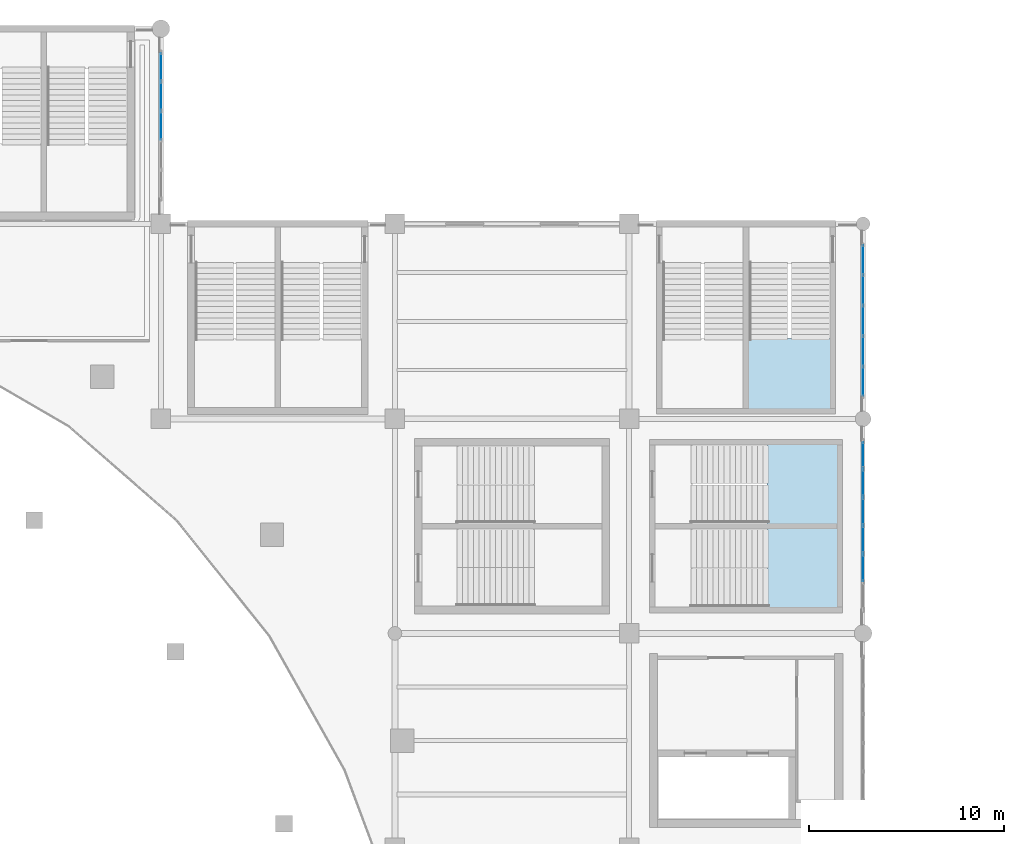
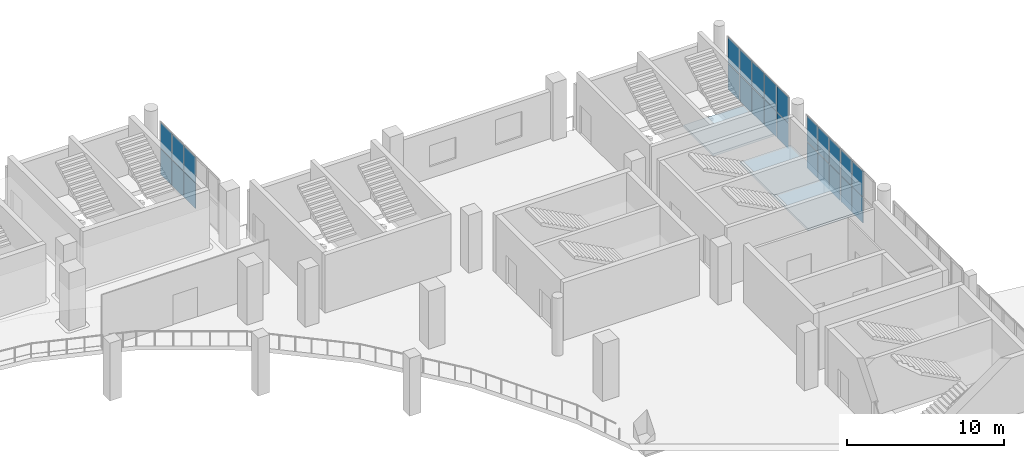
# One storey, part 76 of 108: 26 plates, 3 slabs, 6 elements without a shape of their own.
"""IFC4 building model written with IfcOpenShell, lengths in metres."""

from ifc_helpers import new_model, si_unit, direction, frame, origin, origin_2d, place, context, subcontext, project, spatial, polyline, rectangle, outline, extrude, material, layer, layer_set, type_object, element, aggregate, save


model = new_model("IFC4")

# Units and contexts
model_context = context("Model", 3, precision=1e-05, world=origin(), true_north=direction((0.0, 1.0)))
body_context = subcontext(model_context, "Body", "Model", "MODEL_VIEW")
ifc_project = project(units=[si_unit("LENGTHUNIT", "METRE"), si_unit("AREAUNIT", "SQUARE_METRE"), si_unit("VOLUMEUNIT", "CUBIC_METRE"), si_unit("PLANEANGLEUNIT", "RADIAN"), si_unit("MASSUNIT", "GRAM", prefix="KILO")], contexts=[model_context])

# Site, building, storey
site_placement = place(None, origin())
site = spatial("IfcSite", under=ifc_project, at=site_placement, CompositionType="ELEMENT")
building_placement = place(site_placement, origin())
building = spatial("IfcBuilding", under=site, at=building_placement, Name="Brinegate Civic Arena", CompositionType="ELEMENT")
storey_placement = place(building_placement, frame((0.0, 0.0, 10.199951171875)))
storey = spatial("IfcBuildingStorey", under=building, at=storey_placement, Name="L02", CompositionType="ELEMENT", Elevation=10.199951171875)

# Curtain wall, plates
ifc_material_1 = material(Name="Marine grade aluminium", Category="aluminium")
ifc_layer_1 = layer(ifc_material_1, 0.199951171875, Name="Marine grade aluminium")
ifc_layer_set_1 = layer_set([ifc_layer_1], Name="Marine grade aluminium")
curtain_wall_type_1 = type_object("IfcCurtainWallType", Name="CW-BOWL-GLAZED-01", PredefinedType="USERDEFINED", material=ifc_layer_set_1)
curtain_wall_1_placement = place(storey_placement, origin())
curtain_wall_1 = element("IfcCurtainWall", 1, at=curtain_wall_1_placement, inside=storey, type_object=curtain_wall_type_1, Name="Curtain Wall CWA-092", ObjectType="GLAZED CURTAIN WALL", PredefinedType="USERDEFINED")
ifc_material_2 = material(Name="Hurricane laminated low-E glass", Category="glass")
ifc_layer_2 = layer(ifc_material_2, 0.028076171875, Name="Hurricane laminated low-E glass")
ifc_layer_set_2 = layer_set([ifc_layer_2], Name="Hurricane laminated low-E glass")
plate_type_1 = type_object("IfcPlateType", Name="CW-PANEL-GLAZED-28", PredefinedType="CURTAIN_PANEL", material=ifc_layer_set_2)
plate_1_placement = place(storey_placement, frame((168.0, 105.916259765625, 0.06494140625), z_axis=(0.0, 0.0, 1.0), x_axis=(0.0, 1.0, 0.0)))
plate_1 = element("IfcPlate", 2, at=plate_1_placement, type_object=plate_type_1, Name="CWA-092 panel 1.1", PredefinedType="CURTAIN_PANEL", context=body_context, shape_type="SweptSolid", body=[
    extrude(rectangle(XDim=1.47021484375, YDim=0.028076171875, at=origin_2d()), origin(), (0.0, 0.0, 1.0), 1.9775390625),
])
plate_2_placement = place(storey_placement, frame((168.0, 105.916259765625, 2.107421875), z_axis=(0.0, 0.0, 1.0), x_axis=(0.0, 1.0, 0.0)))
plate_2 = element("IfcPlate", 3, at=plate_2_placement, type_object=plate_type_1, Name="CWA-092 panel 1.2", PredefinedType="CURTAIN_PANEL", context=body_context, shape_type="SweptSolid", body=[
    extrude(rectangle(XDim=1.47021484375, YDim=0.028076171875, at=origin_2d()), origin(), (0.0, 0.0, 1.0), 1.9775390625),
])
plate_3_placement = place(storey_placement, frame((168.0, 107.4677734375, 0.06494140625), z_axis=(0.0, 0.0, 1.0), x_axis=(0.0, 1.0, 0.0)))
plate_3 = element("IfcPlate", 4, at=plate_3_placement, type_object=plate_type_1, Name="CWA-092 panel 2.1", PredefinedType="CURTAIN_PANEL", context=body_context, shape_type="SweptSolid", body=[
    extrude(rectangle(XDim=1.502685546875, YDim=0.028076171875, at=origin_2d()), origin(), (0.0, 0.0, 1.0), 1.9775390625),
])
plate_4_placement = place(storey_placement, frame((168.0, 107.4677734375, 2.107421875), z_axis=(0.0, 0.0, 1.0), x_axis=(0.0, 1.0, 0.0)))
plate_4 = element("IfcPlate", 5, at=plate_4_placement, type_object=plate_type_1, Name="CWA-092 panel 2.2", PredefinedType="CURTAIN_PANEL", context=body_context, shape_type="SweptSolid", body=[
    extrude(rectangle(XDim=1.502685546875, YDim=0.028076171875, at=origin_2d()), origin(), (0.0, 0.0, 1.0), 1.9775390625),
])
plate_5_placement = place(storey_placement, frame((168.0, 109.035400390625, 0.06494140625), z_axis=(0.0, 0.0, 1.0), x_axis=(0.0, 1.0, 0.0)))
plate_5 = element("IfcPlate", 6, at=plate_5_placement, type_object=plate_type_1, Name="CWA-092 panel 3.1", PredefinedType="CURTAIN_PANEL", context=body_context, shape_type="SweptSolid", body=[
    extrude(rectangle(XDim=1.502685546875, YDim=0.028076171875, at=origin_2d()), origin(), (0.0, 0.0, 1.0), 1.9775390625),
])
plate_6_placement = place(storey_placement, frame((168.0, 109.035400390625, 2.107421875), z_axis=(0.0, 0.0, 1.0), x_axis=(0.0, 1.0, 0.0)))
plate_6 = element("IfcPlate", 7, at=plate_6_placement, type_object=plate_type_1, Name="CWA-092 panel 3.2", PredefinedType="CURTAIN_PANEL", context=body_context, shape_type="SweptSolid", body=[
    extrude(rectangle(XDim=1.502685546875, YDim=0.028076171875, at=origin_2d()), origin(), (0.0, 0.0, 1.0), 1.9775390625),
])
plate_7_placement = place(storey_placement, frame((168.0, 110.603271484375, 0.06494140625), z_axis=(0.0, 0.0, 1.0), x_axis=(0.0, 1.0, 0.0)))
plate_7 = element("IfcPlate", 8, at=plate_7_placement, type_object=plate_type_1, Name="CWA-092 panel 4.1", PredefinedType="CURTAIN_PANEL", context=body_context, shape_type="SweptSolid", body=[
    extrude(rectangle(XDim=1.502685546875, YDim=0.028076171875, at=origin_2d()), origin(), (0.0, 0.0, 1.0), 1.9775390625),
])
plate_8_placement = place(storey_placement, frame((168.0, 110.603271484375, 2.107421875), z_axis=(0.0, 0.0, 1.0), x_axis=(0.0, 1.0, 0.0)))
plate_8 = element("IfcPlate", 9, at=plate_8_placement, type_object=plate_type_1, Name="CWA-092 panel 4.2", PredefinedType="CURTAIN_PANEL", context=body_context, shape_type="SweptSolid", body=[
    extrude(rectangle(XDim=1.502685546875, YDim=0.028076171875, at=origin_2d()), origin(), (0.0, 0.0, 1.0), 1.9775390625),
])
plate_9_placement = place(storey_placement, frame((168.0, 112.15478515625, 0.06494140625), z_axis=(0.0, 0.0, 1.0), x_axis=(0.0, 1.0, 0.0)))
plate_9 = element("IfcPlate", 10, at=plate_9_placement, type_object=plate_type_1, Name="CWA-092 panel 5.1", PredefinedType="CURTAIN_PANEL", context=body_context, shape_type="SweptSolid", body=[
    extrude(rectangle(XDim=1.47021484375, YDim=0.028076171875, at=origin_2d()), origin(), (0.0, 0.0, 1.0), 1.9775390625),
])
plate_10_placement = place(storey_placement, frame((168.0, 112.15478515625, 2.107421875), z_axis=(0.0, 0.0, 1.0), x_axis=(0.0, 1.0, 0.0)))
plate_10 = element("IfcPlate", 11, at=plate_10_placement, type_object=plate_type_1, Name="CWA-092 panel 5.2", PredefinedType="CURTAIN_PANEL", context=body_context, shape_type="SweptSolid", body=[
    extrude(rectangle(XDim=1.47021484375, YDim=0.028076171875, at=origin_2d()), origin(), (0.0, 0.0, 1.0), 1.9775390625),
])
aggregate(curtain_wall_1, [plate_1, plate_2, plate_3, plate_4, plate_5, plate_6, plate_7, plate_8, plate_9, plate_10])

ifc_layer_3 = layer(ifc_material_1, 0.235107421875, Name="Marine grade aluminium")
ifc_layer_set_3 = layer_set([ifc_layer_3], Name="Marine grade aluminium")
curtain_wall_type_2 = type_object("IfcCurtainWallType", Name="CW-PORTAL-NORTH-01", PredefinedType="USERDEFINED", material=ifc_layer_set_3)
curtain_wall_2_placement = place(storey_placement, origin())
curtain_wall_2 = element("IfcCurtainWall", 12, at=curtain_wall_2_placement, inside=storey, type_object=curtain_wall_type_2, Name="Curtain Wall CWA-101", ObjectType="PORTAL CURTAIN WALL", PredefinedType="USERDEFINED")
ifc_layer_4 = layer(ifc_material_2, 0.031982421875, Name="Hurricane laminated low-E glass")
ifc_layer_set_4 = layer_set([ifc_layer_4], Name="Hurricane laminated low-E glass")
plate_type_2 = type_object("IfcPlateType", Name="CW-PANEL-GLAZED-32", PredefinedType="CURTAIN_PANEL", material=ifc_layer_set_4)
plate_11_placement = place(storey_placement, frame((132.0, 119.035400390625, 0.06494140625), z_axis=(0.0, 0.0, 1.0), x_axis=(0.0, 1.0, 0.0)))
plate_11 = element("IfcPlate", 13, at=plate_11_placement, type_object=plate_type_2, Name="CWA-101 panel 3.1", PredefinedType="CURTAIN_PANEL", context=body_context, shape_type="SweptSolid", body=[
    extrude(rectangle(XDim=1.4462890625, YDim=0.031982421875, at=origin_2d()), origin(), (0.0, 0.0, 1.0), 1.9775390625),
])
plate_12_placement = place(storey_placement, frame((132.0, 119.035400390625, 2.107421875), z_axis=(0.0, 0.0, 1.0), x_axis=(0.0, 1.0, 0.0)))
plate_12 = element("IfcPlate", 14, at=plate_12_placement, type_object=plate_type_2, Name="CWA-101 panel 3.2", PredefinedType="CURTAIN_PANEL", context=body_context, shape_type="SweptSolid", body=[
    extrude(rectangle(XDim=1.4462890625, YDim=0.031982421875, at=origin_2d()), origin(), (0.0, 0.0, 1.0), 1.9775390625),
])
plate_13_placement = place(storey_placement, frame((132.0, 120.546875, 0.06494140625), z_axis=(0.0, 0.0, 1.0), x_axis=(0.0, 1.0, 0.0)))
plate_13 = element("IfcPlate", 15, at=plate_13_placement, type_object=plate_type_2, Name="CWA-101 panel 4.1", PredefinedType="CURTAIN_PANEL", context=body_context, shape_type="SweptSolid", body=[
    extrude(rectangle(XDim=1.4462890625, YDim=0.031982421875, at=origin_2d()), origin(), (0.0, 0.0, 1.0), 1.9775390625),
])
plate_14_placement = place(storey_placement, frame((132.0, 120.546875, 2.107421875), z_axis=(0.0, 0.0, 1.0), x_axis=(0.0, 1.0, 0.0)))
plate_14 = element("IfcPlate", 16, at=plate_14_placement, type_object=plate_type_2, Name="CWA-101 panel 4.2", PredefinedType="CURTAIN_PANEL", context=body_context, shape_type="SweptSolid", body=[
    extrude(rectangle(XDim=1.4462890625, YDim=0.031982421875, at=origin_2d()), origin(), (0.0, 0.0, 1.0), 1.9775390625),
])
plate_15_placement = place(storey_placement, frame((132.0, 122.0419921875, 0.06494140625), z_axis=(0.0, 0.0, 1.0), x_axis=(0.0, 1.0, 0.0)))
plate_15 = element("IfcPlate", 17, at=plate_15_placement, type_object=plate_type_2, Name="CWA-101 panel 5.1", PredefinedType="CURTAIN_PANEL", context=body_context, shape_type="SweptSolid", body=[
    extrude(rectangle(XDim=1.413818359375, YDim=0.031982421875, at=origin_2d()), origin(), (0.0, 0.0, 1.0), 1.9775390625),
])
plate_16_placement = place(storey_placement, frame((132.0, 122.0419921875, 2.107421875), z_axis=(0.0, 0.0, 1.0), x_axis=(0.0, 1.0, 0.0)))
plate_16 = element("IfcPlate", 18, at=plate_16_placement, type_object=plate_type_2, Name="CWA-101 panel 5.2", PredefinedType="CURTAIN_PANEL", context=body_context, shape_type="SweptSolid", body=[
    extrude(rectangle(XDim=1.413818359375, YDim=0.031982421875, at=origin_2d()), origin(), (0.0, 0.0, 1.0), 1.9775390625),
])
aggregate(curtain_wall_2, [plate_11, plate_12, plate_13, plate_14, plate_15, plate_16])

curtain_wall_3_placement = place(storey_placement, origin())
curtain_wall_3 = element("IfcCurtainWall", 19, at=curtain_wall_3_placement, inside=storey, type_object=curtain_wall_type_1, Name="Curtain Wall CWA-090", ObjectType="GLAZED CURTAIN WALL", PredefinedType="USERDEFINED")
ifc_layer_5 = layer(ifc_material_2, 0.035888671875, Name="Hurricane laminated low-E glass")
ifc_layer_set_5 = layer_set([ifc_layer_5], Name="Hurricane laminated low-E glass")
plate_type_3 = type_object("IfcPlateType", Name="CW-PANEL-GLAZED-36", PredefinedType="CURTAIN_PANEL", material=ifc_layer_set_5)
plate_17_placement = place(storey_placement, frame((168.0, 96.360595703125, 0.06494140625), z_axis=(0.0, 0.0, 1.0), x_axis=(0.0, 1.0, 0.0)))
plate_17 = element("IfcPlate", 20, at=plate_17_placement, type_object=plate_type_3, Name="CWA-090 panel 2.1", PredefinedType="CURTAIN_PANEL", context=body_context, shape_type="SweptSolid", body=[
    extrude(rectangle(XDim=1.374755859375, YDim=0.035888671875, at=origin_2d()), origin(), (0.0, 0.0, 1.0), 1.9775390625),
])
plate_18_placement = place(storey_placement, frame((168.0, 96.360595703125, 2.107421875), z_axis=(0.0, 0.0, 1.0), x_axis=(0.0, 1.0, 0.0)))
plate_18 = element("IfcPlate", 21, at=plate_18_placement, type_object=plate_type_3, Name="CWA-090 panel 2.2", PredefinedType="CURTAIN_PANEL", context=body_context, shape_type="SweptSolid", body=[
    extrude(rectangle(XDim=1.374755859375, YDim=0.035888671875, at=origin_2d()), origin(), (0.0, 0.0, 1.0), 1.9775390625),
])
plate_19_placement = place(storey_placement, frame((168.0, 97.81005859375, 0.06494140625), z_axis=(0.0, 0.0, 1.0), x_axis=(0.0, 1.0, 0.0)))
plate_19 = element("IfcPlate", 22, at=plate_19_placement, type_object=plate_type_3, Name="CWA-090 panel 3.1", PredefinedType="CURTAIN_PANEL", context=body_context, shape_type="SweptSolid", body=[
    extrude(rectangle(XDim=1.374755859375, YDim=0.035888671875, at=origin_2d()), origin(), (0.0, 0.0, 1.0), 1.9775390625),
])
plate_20_placement = place(storey_placement, frame((168.0, 97.81005859375, 2.107421875), z_axis=(0.0, 0.0, 1.0), x_axis=(0.0, 1.0, 0.0)))
plate_20 = element("IfcPlate", 23, at=plate_20_placement, type_object=plate_type_3, Name="CWA-090 panel 3.2", PredefinedType="CURTAIN_PANEL", context=body_context, shape_type="SweptSolid", body=[
    extrude(rectangle(XDim=1.374755859375, YDim=0.035888671875, at=origin_2d()), origin(), (0.0, 0.0, 1.0), 1.9775390625),
])
plate_21_placement = place(storey_placement, frame((168.0, 99.259765625, 0.06494140625), z_axis=(0.0, 0.0, 1.0), x_axis=(0.0, 1.0, 0.0)))
plate_21 = element("IfcPlate", 24, at=plate_21_placement, type_object=plate_type_3, Name="CWA-090 panel 4.1", PredefinedType="CURTAIN_PANEL", context=body_context, shape_type="SweptSolid", body=[
    extrude(rectangle(XDim=1.374755859375, YDim=0.035888671875, at=origin_2d()), origin(), (0.0, 0.0, 1.0), 1.9775390625),
])
plate_22_placement = place(storey_placement, frame((168.0, 99.259765625, 2.107421875), z_axis=(0.0, 0.0, 1.0), x_axis=(0.0, 1.0, 0.0)))
plate_22 = element("IfcPlate", 25, at=plate_22_placement, type_object=plate_type_3, Name="CWA-090 panel 4.2", PredefinedType="CURTAIN_PANEL", context=body_context, shape_type="SweptSolid", body=[
    extrude(rectangle(XDim=1.374755859375, YDim=0.035888671875, at=origin_2d()), origin(), (0.0, 0.0, 1.0), 1.9775390625),
])
plate_23_placement = place(storey_placement, frame((168.0, 100.70947265625, 0.06494140625), z_axis=(0.0, 0.0, 1.0), x_axis=(0.0, 1.0, 0.0)))
plate_23 = element("IfcPlate", 26, at=plate_23_placement, type_object=plate_type_3, Name="CWA-090 panel 5.1", PredefinedType="CURTAIN_PANEL", context=body_context, shape_type="SweptSolid", body=[
    extrude(rectangle(XDim=1.374755859375, YDim=0.035888671875, at=origin_2d()), origin(), (0.0, 0.0, 1.0), 1.9775390625),
])
plate_24_placement = place(storey_placement, frame((168.0, 100.70947265625, 2.107421875), z_axis=(0.0, 0.0, 1.0), x_axis=(0.0, 1.0, 0.0)))
plate_24 = element("IfcPlate", 27, at=plate_24_placement, type_object=plate_type_3, Name="CWA-090 panel 5.2", PredefinedType="CURTAIN_PANEL", context=body_context, shape_type="SweptSolid", body=[
    extrude(rectangle(XDim=1.374755859375, YDim=0.035888671875, at=origin_2d()), origin(), (0.0, 0.0, 1.0), 1.9775390625),
])
plate_25_placement = place(storey_placement, frame((168.0, 102.140380859375, 0.06494140625), z_axis=(0.0, 0.0, 1.0), x_axis=(0.0, 1.0, 0.0)))
plate_25 = element("IfcPlate", 28, at=plate_25_placement, type_object=plate_type_3, Name="CWA-090 panel 6.1", PredefinedType="CURTAIN_PANEL", context=body_context, shape_type="SweptSolid", body=[
    extrude(rectangle(XDim=1.337158203125, YDim=0.035888671875, at=origin_2d()), origin(), (0.0, 0.0, 1.0), 1.9775390625),
])
plate_26_placement = place(storey_placement, frame((168.0, 102.140380859375, 2.107421875), z_axis=(0.0, 0.0, 1.0), x_axis=(0.0, 1.0, 0.0)))
plate_26 = element("IfcPlate", 29, at=plate_26_placement, type_object=plate_type_3, Name="CWA-090 panel 6.2", PredefinedType="CURTAIN_PANEL", context=body_context, shape_type="SweptSolid", body=[
    extrude(rectangle(XDim=1.337158203125, YDim=0.035888671875, at=origin_2d()), origin(), (0.0, 0.0, 1.0), 1.9775390625),
])
aggregate(curtain_wall_3, [plate_17, plate_18, plate_19, plate_20, plate_21, plate_22, plate_23, plate_24, plate_25, plate_26])

# Stair, slab
ifc_material_3 = material(Name="Concrete C40/50", Category="concrete")
stair_type_1 = type_object("IfcStairType", Name="STAIR-EXIT-3700", PredefinedType="HALF_TURN_STAIR", material=ifc_material_3)
stair_1_placement = place(storey_placement, origin())
stair_1 = element("IfcStair", 30, at=stair_1_placement, inside=storey, type_object=stair_type_1, Name="Protected Exit Stair ST-05B (L02)", PredefinedType="HALF_TURN_STAIR")
ifc_layer_6 = layer(ifc_material_3, 0.179931640625, Name="Concrete C40/50")
ifc_layer_set_6 = layer_set([ifc_layer_6], Name="Concrete C40/50")
slab_type = type_object("IfcSlabType", Name="SLAB-LANDING-180", PredefinedType="LANDING", material=ifc_layer_set_6)
slab_1_placement = place(storey_placement, frame((0.0, 0.0, 2.070068359375)))
slab_1 = element("IfcSlab", 31, at=slab_1_placement, type_object=slab_type, Name="ST-05B landing 1", PredefinedType="LANDING", context=body_context, shape_type="SweptSolid", body=[
    extrude(outline(polyline([(161.9951171875, 104.39990234375), (166.455078125, 104.39990234375), (166.455078125, 108.1201171875), (161.9951171875, 108.1201171875), (161.9951171875, 104.39990234375)])), origin(), (0.0, 0.0, 1.0), 0.179931640625),
])
aggregate(stair_1, [slab_1])

stair_type_2 = type_object("IfcStairType", Name="STAIR-EXIT-3850", PredefinedType="HALF_TURN_STAIR", material=ifc_material_3)
stair_2_placement = place(storey_placement, origin())
stair_2 = element("IfcStair", 32, at=stair_2_placement, inside=storey, type_object=stair_type_2, Name="Protected Exit Stair ST-20A (L02)", PredefinedType="HALF_TURN_STAIR")
slab_2_placement = place(storey_placement, frame((0.0, 0.0, 2.070068359375)))
slab_2 = element("IfcSlab", 33, at=slab_2_placement, type_object=slab_type, Name="ST-20A landing 1", PredefinedType="LANDING", context=body_context, shape_type="SweptSolid", body=[
    extrude(outline(polyline([(163.080078125, 94.195068359375), (166.800048828125, 94.195068359375), (166.800048828125, 98.5048828125), (163.080078125, 98.5048828125), (163.080078125, 94.195068359375)])), origin(), (0.0, 0.0, 1.0), 0.179931640625),
])
aggregate(stair_2, [slab_2])

stair_3_placement = place(storey_placement, origin())
stair_3 = element("IfcStair", 34, at=stair_3_placement, inside=storey, type_object=stair_type_1, Name="Protected Exit Stair ST-20B (L02)", PredefinedType="HALF_TURN_STAIR")
slab_3_placement = place(storey_placement, frame((0.0, 0.0, 2.070068359375)))
slab_3 = element("IfcSlab", 35, at=slab_3_placement, type_object=slab_type, Name="ST-20B landing 1", PredefinedType="LANDING", context=body_context, shape_type="SweptSolid", body=[
    extrude(outline(polyline([(163.080078125, 98.4951171875), (166.800048828125, 98.4951171875), (166.800048828125, 102.804931640625), (163.080078125, 102.804931640625), (163.080078125, 98.4951171875)])), origin(), (0.0, 0.0, 1.0), 0.179931640625),
])
aggregate(stair_3, [slab_3])

save(model, "model.ifc")
